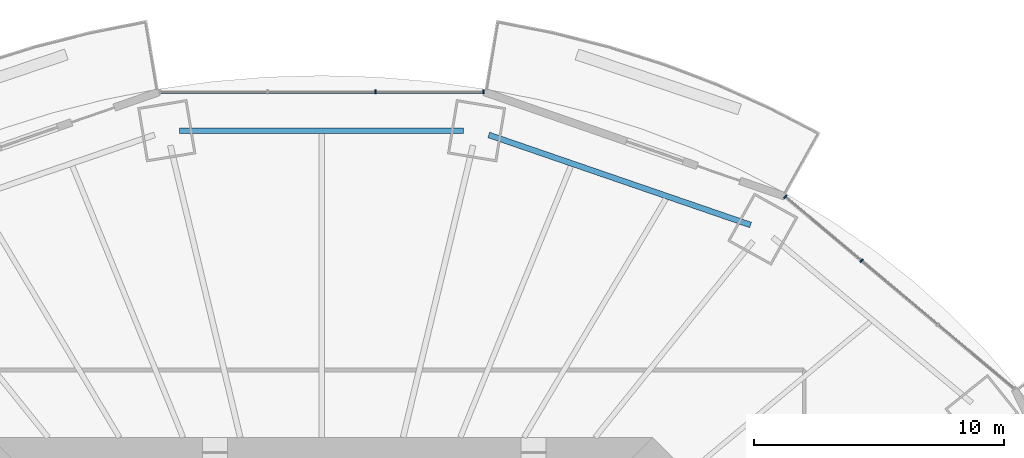
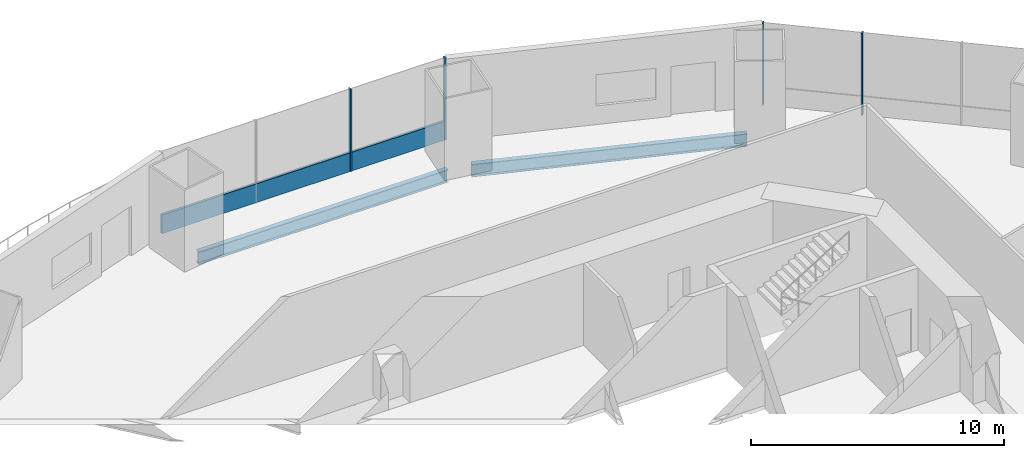
# One storey, part 9 of 18: 5 members, 2 beams, 2 elements without a shape of their own.
"""IFC4 building model written with IfcOpenShell, lengths in metres."""

from ifc_helpers import new_model, si_unit, direction, frame, origin, origin_2d, place, context, subcontext, project, spatial, rectangle, i_section, extrude, material, material_profile, profile_set, type_object, element, aggregate, save


model = new_model("IFC4")

# Units and contexts
model_context = context("Model", 3, precision=1e-05, world=origin(), true_north=direction((0.0, 1.0)))
body_context = subcontext(model_context, "Body", "Model", "MODEL_VIEW")
ifc_project = project(units=[si_unit("LENGTHUNIT", "METRE"), si_unit("AREAUNIT", "SQUARE_METRE"), si_unit("VOLUMEUNIT", "CUBIC_METRE"), si_unit("PLANEANGLEUNIT", "RADIAN"), si_unit("MASSUNIT", "GRAM", prefix="KILO")], contexts=[model_context])

# Site, building, storey
site_placement = place(None, origin())
site = spatial("IfcSite", under=ifc_project, at=site_placement, CompositionType="ELEMENT")
building_placement = place(site_placement, origin())
building = spatial("IfcBuilding", under=site, at=building_placement, Name="Marenthal Gate Tower", CompositionType="ELEMENT")
storey_placement = place(building_placement, frame((0.0, 0.0, 140.89990234375)))
storey = spatial("IfcBuildingStorey", under=building, at=storey_placement, Name="L30", CompositionType="ELEMENT", Elevation=140.89990234375)

# Curtain wall, members
ifc_material_1 = material(Name="Aluminium and glass", Category="aluminium")
curtain_wall_type = type_object("IfcCurtainWallType", Name="Curtain wall typical low", PredefinedType="NOTDEFINED", material=ifc_material_1)
curtain_wall_1_placement = place(storey_placement, origin())
curtain_wall_1 = element("IfcCurtainWall", 1, at=curtain_wall_1_placement, inside=storey, type_object=curtain_wall_type, Name="Curtain wall L30 bay 2", PredefinedType="NOTDEFINED")
ifc_material_2 = material(Name="Aluminium", Category="aluminium")
ifc_material_profile_1 = material_profile(ifc_material_2, rectangle(XDim=0.159912109375, YDim=0.06005859375, at=origin_2d()), Name="60x160 aluminium mullion")
ifc_profile_set_1 = profile_set([ifc_material_profile_1], Name="Aluminium")
member_type_1 = type_object("IfcMemberType", Name="Mullion 60x160 typical low", PredefinedType="MULLION", material=ifc_profile_set_1)
member_1_placement = place(storey_placement, frame((21.597900390625, 20.66796875, 0.0), z_axis=(0.0, 0.0, 1.0), x_axis=(-0.642510826857, -0.766276606305, 0.0)))
member_1 = element("IfcMember", 2, at=member_1_placement, type_object=member_type_1, Name="Mullion L30 bay 2.3", PredefinedType="MULLION", context=body_context, shape_type="SweptSolid", body=[
    extrude(rectangle(XDim=0.159912109375, YDim=0.06005859375, at=origin_2d()), origin(), (0.0, 0.0, 1.0), 3.9501953125),
])
member_2_placement = place(storey_placement, frame((18.546875, 23.22607421875, 0.0), z_axis=(0.0, 0.0, 1.0), x_axis=(-0.642510826857, -0.766276606305, 0.0)))
member_2 = element("IfcMember", 3, at=member_2_placement, type_object=member_type_1, Name="Mullion L30 bay 2.4", PredefinedType="MULLION", context=body_context, shape_type="SweptSolid", body=[
    extrude(rectangle(XDim=0.159912109375, YDim=0.06005859375, at=origin_2d()), origin(), (0.0, 0.0, 1.0), 3.9501953125),
])
aggregate(curtain_wall_1, [member_1, member_2])

curtain_wall_2_placement = place(storey_placement, origin())
curtain_wall_2 = element("IfcCurtainWall", 4, at=curtain_wall_2_placement, inside=storey, type_object=curtain_wall_type, Name="Curtain wall L30 bay 4", PredefinedType="NOTDEFINED")
member_3_placement = place(storey_placement, frame((6.474609375, 27.419921875, 0.0), z_axis=(0.0, 0.0, 1.0), x_axis=(0.0, -1.0, 0.0)))
member_3 = element("IfcMember", 5, at=member_3_placement, type_object=member_type_1, Name="Mullion L30 bay 4.1", PredefinedType="MULLION", context=body_context, shape_type="SweptSolid", body=[
    extrude(rectangle(XDim=0.159912109375, YDim=0.06005859375, at=origin_2d()), origin(), (0.0, 0.0, 1.0), 3.9501953125),
])
member_4_placement = place(storey_placement, frame((2.158203125, 27.419921875, 0.0), z_axis=(0.0, 0.0, 1.0), x_axis=(0.0, -1.0, 0.0)))
member_4 = element("IfcMember", 6, at=member_4_placement, type_object=member_type_1, Name="Mullion L30 bay 4.2", PredefinedType="MULLION", context=body_context, shape_type="SweptSolid", body=[
    extrude(rectangle(XDim=0.159912109375, YDim=0.06005859375, at=origin_2d()), origin(), (0.0, 0.0, 1.0), 3.9501953125),
])
ifc_material_3 = material(Name="Aluminium", Category="aluminium")
ifc_material_profile_2 = material_profile(ifc_material_3, rectangle(XDim=0.1201171875, YDim=0.89990234375, at=origin_2d()), Name="120x900 aluminium transom")
ifc_profile_set_2 = profile_set([ifc_material_profile_2], Name="Aluminium")
member_type_2 = type_object("IfcMemberType", Name="Transom 120x900 typical low", PredefinedType="USERDEFINED", material=ifc_profile_set_2)
member_5_placement = place(storey_placement, frame((6.444580078125, 27.419921875, 0.4501953125), z_axis=(-1.0, 0.0, 0.0), x_axis=(0.0, -1.0, 0.0)))
member_5 = element("IfcMember", 7, at=member_5_placement, type_object=member_type_2, Name="Transom L30 bay 4", ObjectType="TRANSOM", PredefinedType="USERDEFINED", context=body_context, shape_type="SweptSolid", body=[
    extrude(rectangle(XDim=0.1201171875, YDim=0.89990234375, at=origin_2d()), origin(), (0.0, 0.0, 1.0), 12.88916015625),
])
aggregate(curtain_wall_2, [member_3, member_4, member_5])

# Beams
ifc_material_4 = material(Name="Steel S355", Category="steel")
ifc_material_profile_3 = material_profile(ifc_material_4, i_section(OverallWidth=0.22900390625, OverallDepth=0.612060546875, WebThickness=0.011962890625, FlangeThickness=0.01953125, FilletRadius=0.0126953125, at=origin_2d()), Name="W610X125")
ifc_profile_set_3 = profile_set([ifc_material_profile_3], Name="Steel S355")
beam_type = type_object("IfcBeamType", Name="W610X125 beam", PredefinedType="BEAM", material=ifc_profile_set_3)
beam_1_placement = place(storey_placement, frame((17.158447265625, 22.099365234375, -0.48583984375), z_axis=(-0.945616285836, 0.325284244871, 0.0), x_axis=(-0.325284244871, -0.945616285836, 0.0)))
element("IfcBeam", 8, at=beam_1_placement, inside=storey, type_object=beam_type, Name="BM-L30-43", PredefinedType="BEAM", context=body_context, shape_type="SweptSolid", body=[
    extrude(i_section(OverallWidth=0.22900390625, OverallDepth=0.612060546875, WebThickness=0.011962890625, FlangeThickness=0.01953125, FilletRadius=0.0126953125, at=origin_2d()), origin(), (0.0, 0.0, 1.0), 11.078125),
])
beam_2_placement = place(storey_placement, frame((5.682861328125, 25.8701171875, -0.48583984375), z_axis=(-1.0, 0.0, 0.0), x_axis=(0.0, -1.0, 0.0)))
element("IfcBeam", 9, at=beam_2_placement, inside=storey, type_object=beam_type, Name="BM-L30-44", PredefinedType="BEAM", context=body_context, shape_type="SweptSolid", body=[
    extrude(i_section(OverallWidth=0.22900390625, OverallDepth=0.612060546875, WebThickness=0.011962890625, FlangeThickness=0.01953125, FilletRadius=0.0126953125, at=origin_2d()), origin(), (0.0, 0.0, 1.0), 11.36572265625),
])

save(model, "model.ifc")
